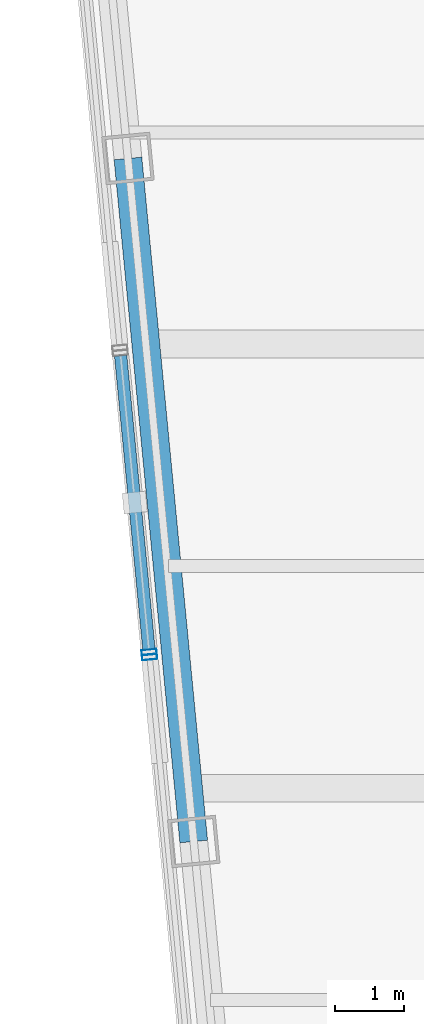
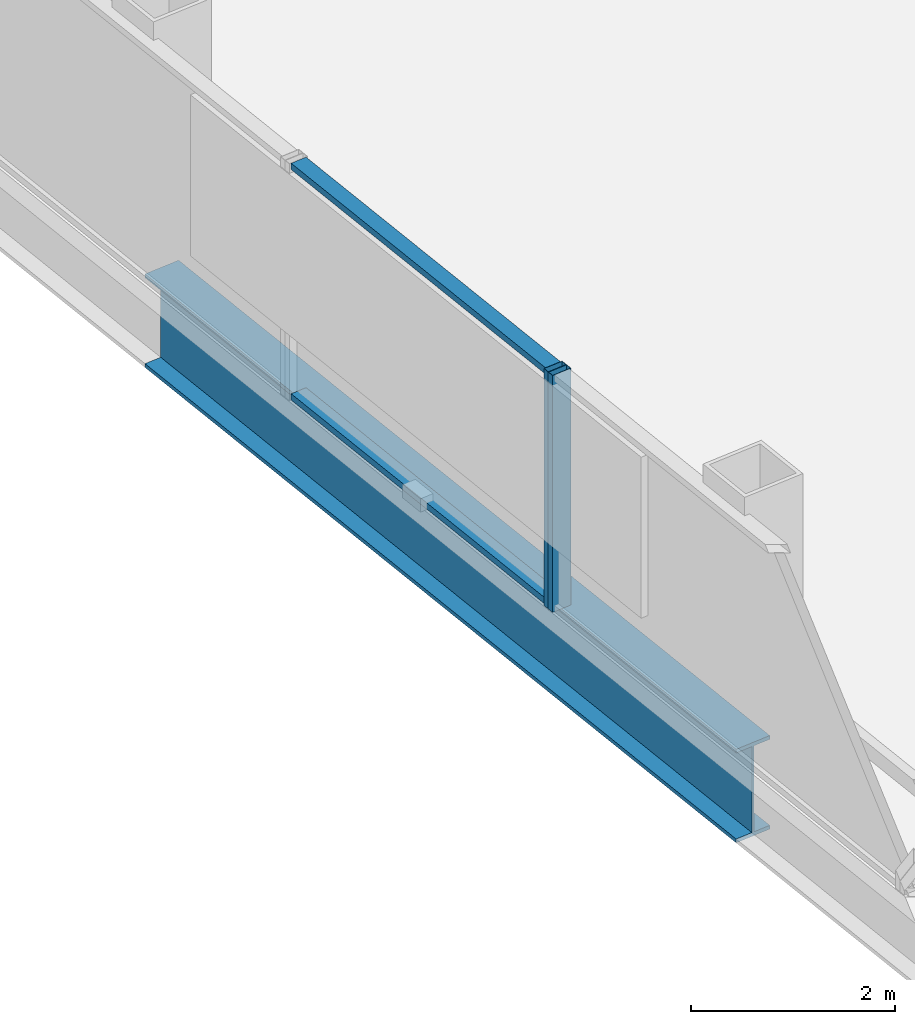
# One storey, part 8 of 28: 4 members, 1 beam, 2 elements without a shape of their own.
"""IFC4 building model written with IfcOpenShell, lengths in metres."""

from ifc_helpers import new_model, si_unit, direction, frame, origin, origin_2d, place, context, subcontext, project, spatial, hollow_rectangle, i_section, extrude, material, layer, layer_set, material_profile, profile_set, type_object, element, aggregate, save


model = new_model("IFC4")

# Units and contexts
model_context = context("Model", 3, precision=1e-05, world=origin(), true_north=direction((0.0, 1.0)))
body_context = subcontext(model_context, "Body", "Model", "MODEL_VIEW")
ifc_project = project(units=[si_unit("LENGTHUNIT", "METRE"), si_unit("AREAUNIT", "SQUARE_METRE"), si_unit("VOLUMEUNIT", "CUBIC_METRE"), si_unit("PLANEANGLEUNIT", "RADIAN"), si_unit("MASSUNIT", "GRAM", prefix="KILO")], contexts=[model_context])

# Site, building, storey
site_placement = place(None, origin())
site = spatial("IfcSite", under=ifc_project, at=site_placement, CompositionType="ELEMENT")
building_placement = place(site_placement, origin())
building = spatial("IfcBuilding", under=site, at=building_placement, Name="Qhalaya Broadcast Tower", CompositionType="ELEMENT")
storey_placement = place(building_placement, frame((0.0, 0.0, 159.199951171875)))
storey = spatial("IfcBuildingStorey", under=building, at=storey_placement, Name="L46", CompositionType="ELEMENT", Elevation=159.199951171875)

# Beam
ifc_material_1 = material(Name="Structural Steel ASTM A992 Grade 50", Category="steel")
ifc_material_profile_1 = material_profile(ifc_material_1, i_section(OverallWidth=0.404052734375, OverallDepth=1.117919921875, WebThickness=0.026123046875, FlangeThickness=0.044921875, at=origin_2d()), Name="W44X335")
ifc_profile_set_1 = profile_set([ifc_material_profile_1], Name="Structural Steel ASTM A992 Grade 50")
beam_type = type_object("IfcBeamType", Name="Podium Long-Span Primary Girder PG1", PredefinedType="USERDEFINED", material=ifc_profile_set_1)
beam_placement = place(storey_placement, frame((-24.572509765625, 6.521240234375, -0.779052734375), z_axis=(0.095850563819, -0.99539573508, 0.0), x_axis=(0.99539573508, 0.095850563819, 0.0)))
element("IfcBeam", 1, at=beam_placement, inside=storey, type_object=beam_type, Name="L46 PG1 L46-SPR-14", ObjectType="GIRDER", PredefinedType="USERDEFINED", context=body_context, shape_type="SweptSolid", body=[
    extrude(i_section(OverallWidth=0.404052734375, OverallDepth=1.117919921875, WebThickness=0.026123046875, FlangeThickness=0.044921875, at=origin_2d()), origin(), (0.0, 0.0, 1.0), 9.966796875),
])

# Curtain wall, member
ifc_material_2 = material(Name="Solar-Control Low-E Triple Glazing", Category="glass")
ifc_layer_1 = layer(ifc_material_2, 0.219970703125, Name="Solar-Control Low-E Triple Glazing")
ifc_layer_set_1 = layer_set([ifc_layer_1], Name="Solar-Control Low-E Triple Glazing")
curtain_wall_type_1 = type_object("IfcCurtainWallType", Name="Even-Block 4-Storey Double-Module Curtain Wall CW-03", PredefinedType="NOTDEFINED", material=ifc_layer_set_1)
curtain_wall_1_placement = place(storey_placement, origin())
curtain_wall_1 = element("IfcCurtainWall", 2, at=curtain_wall_1_placement, inside=storey, type_object=curtain_wall_type_1, Name="L46 Unitised Curtain Wall L46-CW-W4", PredefinedType="NOTDEFINED")
ifc_material_3 = material(Name="Anodised Aluminium 6063-T6", Category="aluminium")
ifc_material_profile_2 = material_profile(ifc_material_3, hollow_rectangle(XDim=0.074951171875, YDim=0.219970703125, WallThickness=0.00390625, at=origin_2d()), Name="ALU-MUL 75x220x4")
ifc_profile_set_2 = profile_set([ifc_material_profile_2], Name="Anodised Aluminium 6063-T6")
member_type_1 = type_object("IfcMemberType", Name="Unitised Curtain-Wall Mullion M01", PredefinedType="MULLION", material=ifc_profile_set_2)
member_1_placement = place(storey_placement, frame((-24.26416015625, -0.64697265625, 0.0), z_axis=(0.0, 0.0, 1.0), x_axis=(0.095855381625, -0.995395271143, 0.0)))
member_1 = element("IfcMember", 3, at=member_1_placement, type_object=member_type_1, Name="CW-03 mullion 2", PredefinedType="MULLION", context=body_context, shape_type="SweptSolid", body=[
    extrude(hollow_rectangle(XDim=0.074951171875, YDim=0.219970703125, WallThickness=0.00390625, at=origin_2d()), origin(), (0.0, 0.0, 1.0), 2.830078125),
])

ifc_material_4 = material(Name="Fired Architectural Terracotta", Category="masonry")
ifc_layer_2 = layer(ifc_material_4, 0.219970703125, Name="Fired Architectural Terracotta")
ifc_layer_set_2 = layer_set([ifc_layer_2], Name="Fired Architectural Terracotta")
curtain_wall_type_2 = type_object("IfcCurtainWallType", Name="Block-Cap Unitised Terracotta Spandrel Wall CW-07", PredefinedType="NOTDEFINED", material=ifc_layer_set_2)
curtain_wall_2_placement = place(storey_placement, origin())
curtain_wall_2 = element("IfcCurtainWall", 4, at=curtain_wall_2_placement, inside=storey, type_object=curtain_wall_type_2, Name="L46 Unitised Curtain Wall L46-CW-W5", PredefinedType="NOTDEFINED")
member_2_placement = place(storey_placement, frame((-24.2568359375, -0.7216796875, 0.0), z_axis=(0.0, 0.0, 1.0), x_axis=(0.095849311193, -0.9953958557, 0.0)))
member_2 = element("IfcMember", 5, at=member_2_placement, type_object=member_type_1, Name="CW-07 mullion 1", PredefinedType="MULLION", context=body_context, shape_type="SweptSolid", body=[
    extrude(hollow_rectangle(XDim=0.074951171875, YDim=0.219970703125, WallThickness=0.00390625, at=origin_2d()), origin(), (0.0, 0.0, 1.0), 2.830078125),
])
aggregate(curtain_wall_2, [member_2])

# Member
ifc_material_profile_3 = material_profile(ifc_material_3, hollow_rectangle(XDim=0.074951171875, YDim=0.179931640625, WallThickness=0.00390625, at=origin_2d()), Name="ALU-TRN 75x180x4")
ifc_profile_set_3 = profile_set([ifc_material_profile_3], Name="Anodised Aluminium 6063-T6")
member_type_2 = type_object("IfcMemberType", Name="Unitised Curtain-Wall Transom T01", PredefinedType="USERDEFINED", material=ifc_profile_set_3)
member_3_placement = place(storey_placement, frame((-24.6787109375, 3.658447265625, 0.03759765625), z_axis=(0.095878390713, -0.995393055127, 0.0), x_axis=(0.0, 0.0, 1.0)))
member_3 = element("IfcMember", 6, at=member_3_placement, type_object=member_type_2, Name="CW-03 transom 1.1", ObjectType="TRANSOM", PredefinedType="USERDEFINED", context=body_context, shape_type="SweptSolid", body=[
    extrude(hollow_rectangle(XDim=0.074951171875, YDim=0.179931640625, WallThickness=0.00390625, at=origin_2d()), origin(), (0.0, 0.0, 1.0), 4.2880859375),
])

member_4_placement = place(storey_placement, frame((-24.6787109375, 3.658447265625, 2.79248046875), z_axis=(0.095878390713, -0.995393055127, 0.0), x_axis=(0.0, 0.0, 1.0)))
member_4 = element("IfcMember", 7, at=member_4_placement, type_object=member_type_2, Name="CW-03 transom 1.2", ObjectType="TRANSOM", PredefinedType="USERDEFINED", context=body_context, shape_type="SweptSolid", body=[
    extrude(hollow_rectangle(XDim=0.074951171875, YDim=0.179931640625, WallThickness=0.00390625, at=origin_2d()), origin(), (0.0, 0.0, 1.0), 4.2880859375),
])

aggregate(curtain_wall_1, [member_1, member_3, member_4])

save(model, "model.ifc")
